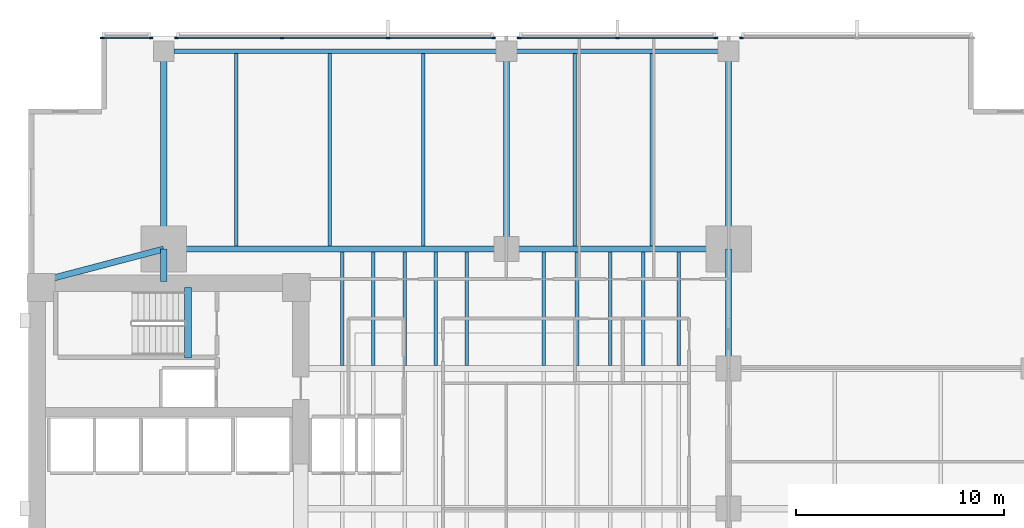
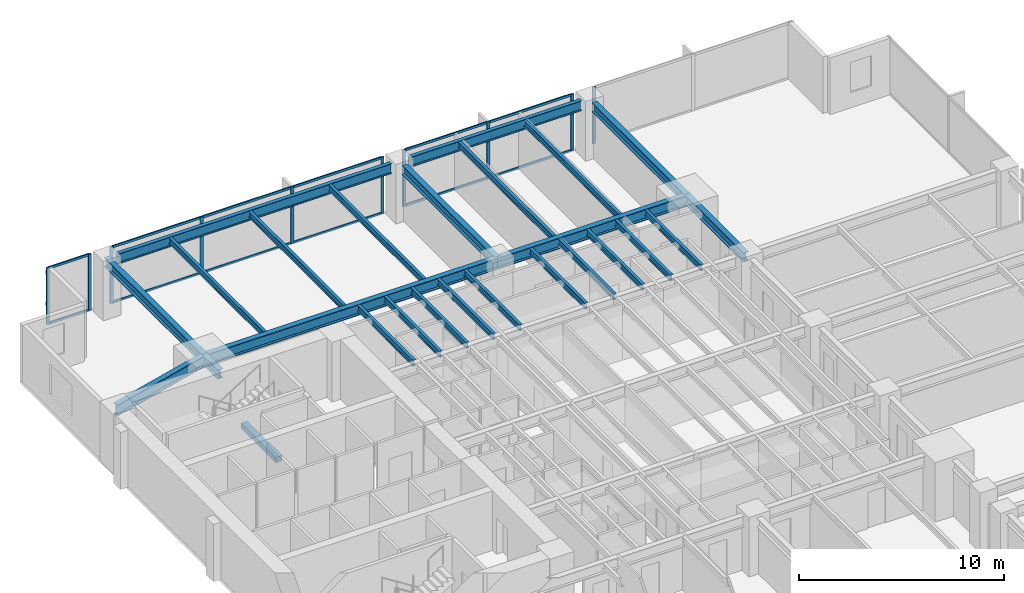
# One storey, part 5 of 16: 26 beams, 22 members, 4 elements without a shape of their own.
"""IFC4 building model written with IfcOpenShell, lengths in metres."""

from ifc_helpers import new_model, si_unit, direction, frame, origin, origin_2d, place, context, subcontext, project, spatial, rectangle, i_section, extrude, material, layer, layer_set, material_profile, profile_set, type_object, element, aggregate, save


model = new_model("IFC4")

# Units and contexts
model_context = context("Model", 3, precision=1e-05, world=origin(), true_north=direction((0.0, 1.0)))
body_context = subcontext(model_context, "Body", "Model", "MODEL_VIEW")
ifc_project = project(units=[si_unit("LENGTHUNIT", "METRE"), si_unit("AREAUNIT", "SQUARE_METRE"), si_unit("VOLUMEUNIT", "CUBIC_METRE"), si_unit("PLANEANGLEUNIT", "RADIAN"), si_unit("MASSUNIT", "GRAM", prefix="KILO")], contexts=[model_context])

# Site, building, storey
site_placement = place(None, origin())
site = spatial("IfcSite", under=ifc_project, at=site_placement, CompositionType="ELEMENT")
building_placement = place(site_placement, origin())
building = spatial("IfcBuilding", under=site, at=building_placement, Name="Kinhvarn Gate Tower", CompositionType="ELEMENT")
storey_placement = place(building_placement, frame((0.0, 0.0, 82.39990234375)))
storey = spatial("IfcBuildingStorey", under=building, at=storey_placement, Name="L21", CompositionType="ELEMENT", Elevation=82.39990234375)

# Beam
ifc_material_1 = material(Name="Concrete C50/60", Category="concrete")
ifc_material_profile_1 = material_profile(ifc_material_1, rectangle(XDim=0.340087890625, YDim=0.320068359375, at=origin_2d()), Name="RC 340x320")
ifc_profile_set_1 = profile_set([ifc_material_profile_1], Name="Concrete C50/60")
beam_type_1 = type_object("IfcBeamType", Name="BM-LND-500", PredefinedType="BEAM", material=ifc_profile_set_1)
beam_1_placement = place(storey_placement, frame((12.1650390625, 32.5, -0.159912109375), z_axis=(0.0, 1.0, 0.0), x_axis=(-1.0, 0.0, 0.0)))
element("IfcBeam", 1, at=beam_1_placement, inside=storey, type_object=beam_type_1, Name="Stair ST2 Landing Nosing Beam (L21)", PredefinedType="BEAM", context=body_context, shape_type="SweptSolid", body=[
    extrude(rectangle(XDim=0.340087890625, YDim=0.320068359375, at=origin_2d()), origin(), (0.0, 0.0, 1.0), 3.39990234375),
])

# Curtain wall, member
ifc_material_2 = material(Name="Anodised aluminium AW-6063", Category="aluminium")
ifc_layer = layer(ifc_material_2, 0.179931640625)
ifc_layer_set = layer_set([ifc_layer], Name="Anodised aluminium AW-6063")
curtain_wall_type = type_object("IfcCurtainWallType", Name="CW-SYS-2", PredefinedType="NOTDEFINED", material=ifc_layer_set)
curtain_wall_1_placement = place(storey_placement, origin())
curtain_wall_1 = element("IfcCurtainWall", 2, at=curtain_wall_1_placement, inside=storey, type_object=curtain_wall_type, Name="Curtain Wall CW2 (L21)", PredefinedType="NOTDEFINED")
ifc_material_profile_2 = material_profile(ifc_material_2, rectangle(XDim=0.070068359375, YDim=0.179931640625, at=origin_2d()), Name="ALU 70x180")
ifc_profile_set_2 = profile_set([ifc_material_profile_2], Name="Anodised aluminium AW-6063")
member_type_1 = type_object("IfcMemberType", Name="CW-MUL-180", PredefinedType="MULLION", material=ifc_profile_set_2)
member_1_placement = place(storey_placement, frame((38.81494140625, 47.909912109375, 0.0), z_axis=(0.0, 0.0, 1.0), x_axis=(0.0, -1.0, 0.0)))
member_1 = element("IfcMember", 3, at=member_1_placement, type_object=member_type_1, Name="CW2 mullion 3", PredefinedType="MULLION", context=body_context, shape_type="SweptSolid", body=[
    extrude(rectangle(XDim=0.070068359375, YDim=0.179931640625, at=origin_2d()), origin(), (0.0, 0.0, 1.0), 3.3701171875),
])
aggregate(curtain_wall_1, [member_1])

# Curtain wall, members
curtain_wall_2_placement = place(storey_placement, origin())
curtain_wall_2 = element("IfcCurtainWall", 4, at=curtain_wall_2_placement, inside=storey, type_object=curtain_wall_type, Name="Curtain Wall CW2 (L21)", PredefinedType="NOTDEFINED")
member_2_placement = place(storey_placement, frame((37.5849609375, 47.909912109375, 0.0), z_axis=(0.0, 0.0, 1.0), x_axis=(0.0, -1.0, 0.0)))
member_2 = element("IfcMember", 5, at=member_2_placement, type_object=member_type_1, Name="CW2 mullion 1", PredefinedType="MULLION", context=body_context, shape_type="SweptSolid", body=[
    extrude(rectangle(XDim=0.070068359375, YDim=0.179931640625, at=origin_2d()), origin(), (0.0, 0.0, 1.0), 3.3701171875),
])
member_3_placement = place(storey_placement, frame((32.85009765625, 47.909912109375, 0.0), z_axis=(0.0, 0.0, 1.0), x_axis=(0.0, -1.0, 0.0)))
member_3 = element("IfcMember", 6, at=member_3_placement, type_object=member_type_1, Name="CW2 mullion 2", PredefinedType="MULLION", context=body_context, shape_type="SweptSolid", body=[
    extrude(rectangle(XDim=0.070068359375, YDim=0.179931640625, at=origin_2d()), origin(), (0.0, 0.0, 1.0), 3.3701171875),
])
member_4_placement = place(storey_placement, frame((28.114990234375, 47.909912109375, 0.0), z_axis=(0.0, 0.0, 1.0), x_axis=(0.0, -1.0, 0.0)))
member_4 = element("IfcMember", 7, at=member_4_placement, type_object=member_type_1, Name="CW2 mullion 3", PredefinedType="MULLION", context=body_context, shape_type="SweptSolid", body=[
    extrude(rectangle(XDim=0.070068359375, YDim=0.179931640625, at=origin_2d()), origin(), (0.0, 0.0, 1.0), 3.3701171875),
])

curtain_wall_3_placement = place(storey_placement, origin())
curtain_wall_3 = element("IfcCurtainWall", 8, at=curtain_wall_3_placement, inside=storey, type_object=curtain_wall_type, Name="Curtain Wall CW2 (L21)", PredefinedType="NOTDEFINED")
member_5_placement = place(storey_placement, frame((26.885009765625, 47.909912109375, 0.0), z_axis=(0.0, 0.0, 1.0), x_axis=(0.0, -1.0, 0.0)))
member_5 = element("IfcMember", 9, at=member_5_placement, type_object=member_type_1, Name="CW2 mullion 1", PredefinedType="MULLION", context=body_context, shape_type="SweptSolid", body=[
    extrude(rectangle(XDim=0.070068359375, YDim=0.179931640625, at=origin_2d()), origin(), (0.0, 0.0, 1.0), 3.3701171875),
])
member_6_placement = place(storey_placement, frame((21.806640625, 47.909912109375, 0.0), z_axis=(0.0, 0.0, 1.0), x_axis=(0.0, -1.0, 0.0)))
member_6 = element("IfcMember", 10, at=member_6_placement, type_object=member_type_1, Name="CW2 mullion 2", PredefinedType="MULLION", context=body_context, shape_type="SweptSolid", body=[
    extrude(rectangle(XDim=0.070068359375, YDim=0.179931640625, at=origin_2d()), origin(), (0.0, 0.0, 1.0), 3.3701171875),
])
member_7_placement = place(storey_placement, frame((16.693359375, 47.909912109375, 0.0), z_axis=(0.0, 0.0, 1.0), x_axis=(0.0, -1.0, 0.0)))
member_7 = element("IfcMember", 11, at=member_7_placement, type_object=member_type_1, Name="CW2 mullion 3", PredefinedType="MULLION", context=body_context, shape_type="SweptSolid", body=[
    extrude(rectangle(XDim=0.070068359375, YDim=0.179931640625, at=origin_2d()), origin(), (0.0, 0.0, 1.0), 3.3701171875),
])
member_8_placement = place(storey_placement, frame((11.614990234375, 47.909912109375, 0.0), z_axis=(0.0, 0.0, 1.0), x_axis=(0.0, -1.0, 0.0)))
member_8 = element("IfcMember", 12, at=member_8_placement, type_object=member_type_1, Name="CW2 mullion 4", PredefinedType="MULLION", context=body_context, shape_type="SweptSolid", body=[
    extrude(rectangle(XDim=0.070068359375, YDim=0.179931640625, at=origin_2d()), origin(), (0.0, 0.0, 1.0), 3.3701171875),
])

curtain_wall_4_placement = place(storey_placement, origin())
curtain_wall_4 = element("IfcCurtainWall", 13, at=curtain_wall_4_placement, inside=storey, type_object=curtain_wall_type, Name="Curtain Wall CW2 (L21)", PredefinedType="NOTDEFINED")
member_9_placement = place(storey_placement, frame((10.385009765625, 47.909912109375, 0.0), z_axis=(0.0, 0.0, 1.0), x_axis=(0.0, -1.0, 0.0)))
member_9 = element("IfcMember", 14, at=member_9_placement, type_object=member_type_1, Name="CW2 mullion 1", PredefinedType="MULLION", context=body_context, shape_type="SweptSolid", body=[
    extrude(rectangle(XDim=0.070068359375, YDim=0.179931640625, at=origin_2d()), origin(), (0.0, 0.0, 1.0), 3.3701171875),
])
member_10_placement = place(storey_placement, frame((8.034912109375, 47.909912109375, 0.0), z_axis=(0.0, 0.0, 1.0), x_axis=(0.0, -1.0, 0.0)))
member_10 = element("IfcMember", 15, at=member_10_placement, type_object=member_type_1, Name="CW2 mullion 2", PredefinedType="MULLION", context=body_context, shape_type="SweptSolid", body=[
    extrude(rectangle(XDim=0.070068359375, YDim=0.179931640625, at=origin_2d()), origin(), (0.0, 0.0, 1.0), 3.3701171875),
])

# Member
ifc_material_profile_3 = material_profile(ifc_material_2, rectangle(XDim=0.070068359375, YDim=0.139892578125, at=origin_2d()), Name="ALU 70x140")
ifc_profile_set_3 = profile_set([ifc_material_profile_3], Name="Anodised aluminium AW-6063")
member_type_2 = type_object("IfcMemberType", Name="CW-TRN-140", PredefinedType="USERDEFINED", material=ifc_profile_set_3)
member_11_placement = place(storey_placement, frame((37.550048828125, 47.909912109375, 0.03515625), z_axis=(-1.0, 0.0, 0.0), x_axis=(0.0, -1.0, 0.0)))
member_11 = element("IfcMember", 16, at=member_11_placement, type_object=member_type_2, Name="CW2 transom 1.1", ObjectType="TRANSOM", PredefinedType="USERDEFINED", context=body_context, shape_type="SweptSolid", body=[
    extrude(rectangle(XDim=0.070068359375, YDim=0.139892578125, at=origin_2d()), origin(), (0.0, 0.0, 1.0), 4.6650390625),
])

member_12_placement = place(storey_placement, frame((37.550048828125, 47.909912109375, 3.335205078125), z_axis=(-1.0, 0.0, 0.0), x_axis=(0.0, -1.0, 0.0)))
member_12 = element("IfcMember", 17, at=member_12_placement, type_object=member_type_2, Name="CW2 transom 1.2", ObjectType="TRANSOM", PredefinedType="USERDEFINED", context=body_context, shape_type="SweptSolid", body=[
    extrude(rectangle(XDim=0.070068359375, YDim=0.139892578125, at=origin_2d()), origin(), (0.0, 0.0, 1.0), 4.6650390625),
])

member_13_placement = place(storey_placement, frame((32.81494140625, 47.909912109375, 0.03515625), z_axis=(-1.0, 0.0, 0.0), x_axis=(0.0, -1.0, 0.0)))
member_13 = element("IfcMember", 18, at=member_13_placement, type_object=member_type_2, Name="CW2 transom 2.1", ObjectType="TRANSOM", PredefinedType="USERDEFINED", context=body_context, shape_type="SweptSolid", body=[
    extrude(rectangle(XDim=0.070068359375, YDim=0.139892578125, at=origin_2d()), origin(), (0.0, 0.0, 1.0), 4.6650390625),
])

member_14_placement = place(storey_placement, frame((32.81494140625, 47.909912109375, 3.335205078125), z_axis=(-1.0, 0.0, 0.0), x_axis=(0.0, -1.0, 0.0)))
member_14 = element("IfcMember", 19, at=member_14_placement, type_object=member_type_2, Name="CW2 transom 2.2", ObjectType="TRANSOM", PredefinedType="USERDEFINED", context=body_context, shape_type="SweptSolid", body=[
    extrude(rectangle(XDim=0.070068359375, YDim=0.139892578125, at=origin_2d()), origin(), (0.0, 0.0, 1.0), 4.6650390625),
])

aggregate(curtain_wall_2, [member_2, member_3, member_4, member_11, member_12, member_13, member_14])

member_15_placement = place(storey_placement, frame((26.85009765625, 47.909912109375, 0.03515625), z_axis=(-1.0, 0.0, 0.0), x_axis=(0.0, -1.0, 0.0)))
member_15 = element("IfcMember", 20, at=member_15_placement, type_object=member_type_2, Name="CW2 transom 1.1", ObjectType="TRANSOM", PredefinedType="USERDEFINED", context=body_context, shape_type="SweptSolid", body=[
    extrude(rectangle(XDim=0.070068359375, YDim=0.139892578125, at=origin_2d()), origin(), (0.0, 0.0, 1.0), 5.008544921875),
])

member_16_placement = place(storey_placement, frame((26.85009765625, 47.909912109375, 3.335205078125), z_axis=(-1.0, 0.0, 0.0), x_axis=(0.0, -1.0, 0.0)))
member_16 = element("IfcMember", 21, at=member_16_placement, type_object=member_type_2, Name="CW2 transom 1.2", ObjectType="TRANSOM", PredefinedType="USERDEFINED", context=body_context, shape_type="SweptSolid", body=[
    extrude(rectangle(XDim=0.070068359375, YDim=0.139892578125, at=origin_2d()), origin(), (0.0, 0.0, 1.0), 5.008544921875),
])

member_17_placement = place(storey_placement, frame((21.771728515625, 47.909912109375, 0.03515625), z_axis=(-1.0, 0.0, 0.0), x_axis=(0.0, -1.0, 0.0)))
member_17 = element("IfcMember", 22, at=member_17_placement, type_object=member_type_2, Name="CW2 transom 2.1", ObjectType="TRANSOM", PredefinedType="USERDEFINED", context=body_context, shape_type="SweptSolid", body=[
    extrude(rectangle(XDim=0.070068359375, YDim=0.139892578125, at=origin_2d()), origin(), (0.0, 0.0, 1.0), 5.04345703125),
])

member_18_placement = place(storey_placement, frame((21.771728515625, 47.909912109375, 3.335205078125), z_axis=(-1.0, 0.0, 0.0), x_axis=(0.0, -1.0, 0.0)))
member_18 = element("IfcMember", 23, at=member_18_placement, type_object=member_type_2, Name="CW2 transom 2.2", ObjectType="TRANSOM", PredefinedType="USERDEFINED", context=body_context, shape_type="SweptSolid", body=[
    extrude(rectangle(XDim=0.070068359375, YDim=0.139892578125, at=origin_2d()), origin(), (0.0, 0.0, 1.0), 5.04345703125),
])

member_19_placement = place(storey_placement, frame((16.658447265625, 47.909912109375, 0.03515625), z_axis=(-1.0, 0.0, 0.0), x_axis=(0.0, -1.0, 0.0)))
member_19 = element("IfcMember", 24, at=member_19_placement, type_object=member_type_2, Name="CW2 transom 3.1", ObjectType="TRANSOM", PredefinedType="USERDEFINED", context=body_context, shape_type="SweptSolid", body=[
    extrude(rectangle(XDim=0.070068359375, YDim=0.139892578125, at=origin_2d()), origin(), (0.0, 0.0, 1.0), 5.008544921875),
])

member_20_placement = place(storey_placement, frame((16.658447265625, 47.909912109375, 3.335205078125), z_axis=(-1.0, 0.0, 0.0), x_axis=(0.0, -1.0, 0.0)))
member_20 = element("IfcMember", 25, at=member_20_placement, type_object=member_type_2, Name="CW2 transom 3.2", ObjectType="TRANSOM", PredefinedType="USERDEFINED", context=body_context, shape_type="SweptSolid", body=[
    extrude(rectangle(XDim=0.070068359375, YDim=0.139892578125, at=origin_2d()), origin(), (0.0, 0.0, 1.0), 5.008544921875),
])

aggregate(curtain_wall_3, [member_5, member_6, member_7, member_8, member_15, member_16, member_17, member_18, member_19, member_20])

member_21_placement = place(storey_placement, frame((10.35009765625, 47.909912109375, 0.03515625), z_axis=(-1.0, 0.0, 0.0), x_axis=(0.0, -1.0, 0.0)))
member_21 = element("IfcMember", 26, at=member_21_placement, type_object=member_type_2, Name="CW2 transom 1.1", ObjectType="TRANSOM", PredefinedType="USERDEFINED", context=body_context, shape_type="SweptSolid", body=[
    extrude(rectangle(XDim=0.070068359375, YDim=0.139892578125, at=origin_2d()), origin(), (0.0, 0.0, 1.0), 2.280029296875),
])

member_22_placement = place(storey_placement, frame((10.35009765625, 47.909912109375, 3.335205078125), z_axis=(-1.0, 0.0, 0.0), x_axis=(0.0, -1.0, 0.0)))
member_22 = element("IfcMember", 27, at=member_22_placement, type_object=member_type_2, Name="CW2 transom 1.2", ObjectType="TRANSOM", PredefinedType="USERDEFINED", context=body_context, shape_type="SweptSolid", body=[
    extrude(rectangle(XDim=0.070068359375, YDim=0.139892578125, at=origin_2d()), origin(), (0.0, 0.0, 1.0), 2.280029296875),
])

aggregate(curtain_wall_4, [member_9, member_10, member_21, member_22])

# Beams
ifc_material_3 = material(Name="Steel S355", Category="steel")
ifc_material_profile_4 = material_profile(ifc_material_3, i_section(OverallWidth=0.300048828125, OverallDepth=0.550048828125, WebThickness=0.014892578125, FlangeThickness=0.029052734375, at=origin_2d()), Name="HEB 550")
ifc_profile_set_4 = profile_set([ifc_material_profile_4], Name="Steel S355")
beam_type_2 = type_object("IfcBeamType", Name="STL-HEB550", PredefinedType="BEAM", material=ifc_profile_set_4)
beam_2_placement = place(storey_placement, frame((11.0, 36.199951171875, 3.09521484375), z_axis=(0.0, 1.0, 0.0), x_axis=(-1.0, 0.0, 0.0)))
element("IfcBeam", 28, at=beam_2_placement, inside=storey, type_object=beam_type_2, Name="Floor Beam PG-15 (L21 MCW-CN)", PredefinedType="BEAM", context=body_context, shape_type="SweptSolid", body=[
    extrude(i_section(OverallWidth=0.300048828125, OverallDepth=0.550048828125, WebThickness=0.014892578125, FlangeThickness=0.029052734375, at=origin_2d()), origin(), (0.0, 0.0, 1.0), 1.550048828125),
])
beam_3_placement = place(storey_placement, frame((11.0, 37.75, 3.09521484375), z_axis=(0.0, 1.0, 0.0), x_axis=(-1.0, 0.0, 0.0)))
element("IfcBeam", 29, at=beam_3_placement, inside=storey, type_object=beam_type_2, Name="Floor Beam PG-15 (L21 MCW-N)", PredefinedType="BEAM", context=body_context, shape_type="SweptSolid", body=[
    extrude(i_section(OverallWidth=0.300048828125, OverallDepth=0.550048828125, WebThickness=0.014892578125, FlangeThickness=0.029052734375, at=origin_2d()), origin(), (0.0, 0.0, 1.0), 9.530029296875),
])
for number, where, z_axis, x_axis, name in (
    (30, (27.5, 37.75, 3.09521484375), (0.0, 1.0, 0.0), (-1.0, 0.0, 0.0), "Floor Beam PG-15 (L21 SP27-N-TIE)"),
    (31, (38.199951171875, 37.75, 3.09521484375), (0.0, 1.0, 0.0), (-1.0, 0.0, 0.0), "Floor Beam PG-15 (L21 MCE-N)"),
):
    element("IfcBeam", number, at=place(storey_placement, frame(where, z_axis=z_axis, x_axis=x_axis)), inside=storey, type_object=beam_type_2, Name=name, PredefinedType="BEAM", context=body_context, shape_type="SweptSolid", body=[
        extrude(i_section(OverallWidth=0.300048828125, OverallDepth=0.550048828125, WebThickness=0.014892578125, FlangeThickness=0.029052734375, at=origin_2d()), origin(), (0.0, 0.0, 1.0), 9.044921875),
    ])
beam_4_placement = place(storey_placement, frame((38.199951171875, 32.0, 3.09521484375), z_axis=(0.0, 1.0, 0.0), x_axis=(-1.0, 0.0, 0.0)))
element("IfcBeam", 32, at=beam_4_placement, inside=storey, type_object=beam_type_2, Name="Floor Beam PG-15 (L21 MG-E-32)", PredefinedType="BEAM", context=body_context, shape_type="SweptSolid", body=[
    extrude(i_section(OverallWidth=0.300048828125, OverallDepth=0.550048828125, WebThickness=0.014892578125, FlangeThickness=0.029052734375, at=origin_2d()), origin(), (0.0, 0.0, 1.0), 5.75),
])
ifc_material_profile_5 = material_profile(ifc_material_3, i_section(OverallWidth=0.300048828125, OverallDepth=0.64990234375, WebThickness=0.01611328125, FlangeThickness=0.031005859375, at=origin_2d()), Name="HEB 650")
ifc_profile_set_5 = profile_set([ifc_material_profile_5], Name="Steel S355")
beam_type_3 = type_object("IfcBeamType", Name="STL-HEB650", PredefinedType="BEAM", material=ifc_profile_set_5)
beam_5_placement = place(storey_placement, frame((11.0, 37.75, 3.045166015625), z_axis=(1.0, 0.0, 0.0), x_axis=(0.0, 1.0, 0.0)))
element("IfcBeam", 33, at=beam_5_placement, inside=storey, type_object=beam_type_3, Name="Floor Beam PG-17 (L21 MG-N1)", PredefinedType="BEAM", context=body_context, shape_type="SweptSolid", body=[
    extrude(i_section(OverallWidth=0.300048828125, OverallDepth=0.64990234375, WebThickness=0.01611328125, FlangeThickness=0.031005859375, at=origin_2d()), origin(), (0.0, 0.0, 1.0), 16.5),
])
beam_6_placement = place(storey_placement, frame((27.5, 37.75, 3.045166015625), z_axis=(1.0, 0.0, 0.0), x_axis=(0.0, 1.0, 0.0)))
element("IfcBeam", 34, at=beam_6_placement, inside=storey, type_object=beam_type_3, Name="Floor Beam PG-17 (L21 MG-N2)", PredefinedType="BEAM", context=body_context, shape_type="SweptSolid", body=[
    extrude(i_section(OverallWidth=0.300048828125, OverallDepth=0.64990234375, WebThickness=0.01611328125, FlangeThickness=0.031005859375, at=origin_2d()), origin(), (0.0, 0.0, 1.0), 10.699951171875),
])
beam_7_placement = place(storey_placement, frame((5.10009765625, 36.199951171875, 3.045166015625), z_axis=(0.967177623957, 0.254101246979, 0.0), x_axis=(-0.254101246979, 0.967177623957, 0.0)))
element("IfcBeam", 35, at=beam_7_placement, inside=storey, type_object=beam_type_3, Name="Floor Beam PG-17 (L21 MG-NW-DIAG)", PredefinedType="BEAM", context=body_context, shape_type="SweptSolid", body=[
    extrude(i_section(OverallWidth=0.300048828125, OverallDepth=0.64990234375, WebThickness=0.01611328125, FlangeThickness=0.031005859375, at=origin_2d()), origin(), (0.0, 0.0, 1.0), 6.10009765625),
])
ifc_material_profile_6 = material_profile(ifc_material_3, i_section(OverallWidth=0.169921875, OverallDepth=0.360107421875, WebThickness=0.008056640625, FlangeThickness=0.0126953125, at=origin_2d()), Name="IPE 360")
ifc_profile_set_6 = profile_set([ifc_material_profile_6], Name="Steel S355")
beam_type_4 = type_object("IfcBeamType", Name="STL-IPE360", PredefinedType="JOIST", material=ifc_profile_set_6)
for number, where, z_axis, x_axis, name in (
    (36, (19.60009765625, 32.14990234375, 3.190185546875), (0.0, 1.0, 0.0), (-1.0, 0.0, 0.0), "Floor Joist SB-04 (L21 JC-X196-3)"),
    (37, (21.10009765625, 32.14990234375, 3.190185546875), (0.0, 1.0, 0.0), (-1.0, 0.0, 0.0), "Floor Joist SB-04 (L21 JC-X211-3)"),
    (38, (22.60009765625, 32.14990234375, 3.190185546875), (0.0, 1.0, 0.0), (-1.0, 0.0, 0.0), "Floor Joist SB-04 (L21 JC-X226-3)"),
    (39, (24.10009765625, 32.14990234375, 3.190185546875), (0.0, 1.0, 0.0), (-1.0, 0.0, 0.0), "Floor Joist SB-04 (L21 JC-X241-3)"),
    (40, (25.60009765625, 32.14990234375, 3.190185546875), (0.0, 1.0, 0.0), (-1.0, 0.0, 0.0), "Floor Joist SB-04 (L21 JC-X256-3)"),
    (41, (29.300048828125, 32.14990234375, 3.190185546875), (0.0, 1.0, 0.0), (-1.0, 0.0, 0.0), "Floor Joist SB-04 (L21 JC-X293-3)"),
    (42, (30.89990234375, 32.14990234375, 3.190185546875), (0.0, 1.0, 0.0), (-1.0, 0.0, 0.0), "Floor Joist SB-04 (L21 JC-X309-3)"),
    (43, (32.5, 32.14990234375, 3.190185546875), (0.0, 1.0, 0.0), (-1.0, 0.0, 0.0), "Floor Joist SB-04 (L21 JC-X325-3)"),
    (44, (34.10009765625, 32.14990234375, 3.190185546875), (0.0, 1.0, 0.0), (-1.0, 0.0, 0.0), "Floor Joist SB-04 (L21 JC-X341-3)"),
    (45, (35.800048828125, 32.14990234375, 3.190185546875), (0.0, 1.0, 0.0), (-1.0, 0.0, 0.0), "Floor Joist SB-04 (L21 JC-X358-3)"),
):
    element("IfcBeam", number, at=place(storey_placement, frame(where, z_axis=z_axis, x_axis=x_axis)), inside=storey, type_object=beam_type_4, Name=name, PredefinedType="JOIST", context=body_context, shape_type="SweptSolid", body=[
        extrude(i_section(OverallWidth=0.169921875, OverallDepth=0.360107421875, WebThickness=0.008056640625, FlangeThickness=0.0126953125, at=origin_2d()), origin(), (0.0, 0.0, 1.0), 5.4501953125),
    ])
for number, where, z_axis, x_axis, name in (
    (46, (14.5, 37.89990234375, 3.190185546875), (0.0, 1.0, 0.0), (-1.0, 0.0, 0.0), "Floor Joist SB-04 (L21 JN-X145)"),
    (47, (19.0, 37.89990234375, 3.190185546875), (0.0, 1.0, 0.0), (-1.0, 0.0, 0.0), "Floor Joist SB-04 (L21 JN-X190)"),
    (48, (23.5, 37.89990234375, 3.190185546875), (0.0, 1.0, 0.0), (-1.0, 0.0, 0.0), "Floor Joist SB-04 (L21 JN-X235)"),
    (49, (30.800048828125, 37.89990234375, 3.190185546875), (0.0, 1.0, 0.0), (-1.0, 0.0, 0.0), "Floor Joist SB-04 (L21 JN-X308)"),
    (50, (34.5, 37.89990234375, 3.190185546875), (0.0, 1.0, 0.0), (-1.0, 0.0, 0.0), "Floor Joist SB-04 (L21 JN-X345)"),
):
    element("IfcBeam", number, at=place(storey_placement, frame(where, z_axis=z_axis, x_axis=x_axis)), inside=storey, type_object=beam_type_4, Name=name, PredefinedType="JOIST", context=body_context, shape_type="SweptSolid", body=[
        extrude(i_section(OverallWidth=0.169921875, OverallDepth=0.360107421875, WebThickness=0.008056640625, FlangeThickness=0.0126953125, at=origin_2d()), origin(), (0.0, 0.0, 1.0), 9.27001953125),
    ])
ifc_material_profile_7 = material_profile(ifc_material_3, i_section(OverallWidth=0.219970703125, OverallDepth=0.60009765625, WebThickness=0.011962890625, FlangeThickness=0.01904296875, at=origin_2d()), Name="IPE 600")
ifc_profile_set_7 = profile_set([ifc_material_profile_7], Name="Steel S355")
beam_type_5 = type_object("IfcBeamType", Name="STL-IPE600", PredefinedType="SPANDREL", material=ifc_profile_set_7)
beam_8_placement = place(storey_placement, frame((11.485107421875, 47.280029296875, 3.070068359375), z_axis=(1.0, 0.0, 0.0), x_axis=(0.0, 1.0, 0.0)))
element("IfcBeam", 51, at=beam_8_placement, inside=storey, type_object=beam_type_5, Name="Floor Spandrel SB-09 (L21 SP-N1)", PredefinedType="SPANDREL", context=body_context, shape_type="SweptSolid", body=[
    extrude(i_section(OverallWidth=0.219970703125, OverallDepth=0.60009765625, WebThickness=0.011962890625, FlangeThickness=0.01904296875, at=origin_2d()), origin(), (0.0, 0.0, 1.0), 15.52978515625),
])
beam_9_placement = place(storey_placement, frame((27.985107421875, 47.280029296875, 3.070068359375), z_axis=(1.0, 0.0, 0.0), x_axis=(0.0, 1.0, 0.0)))
element("IfcBeam", 52, at=beam_9_placement, inside=storey, type_object=beam_type_5, Name="Floor Spandrel SB-09 (L21 SP-N2)", PredefinedType="SPANDREL", context=body_context, shape_type="SweptSolid", body=[
    extrude(i_section(OverallWidth=0.219970703125, OverallDepth=0.60009765625, WebThickness=0.011962890625, FlangeThickness=0.01904296875, at=origin_2d()), origin(), (0.0, 0.0, 1.0), 9.72998046875),
])

save(model, "model.ifc")
